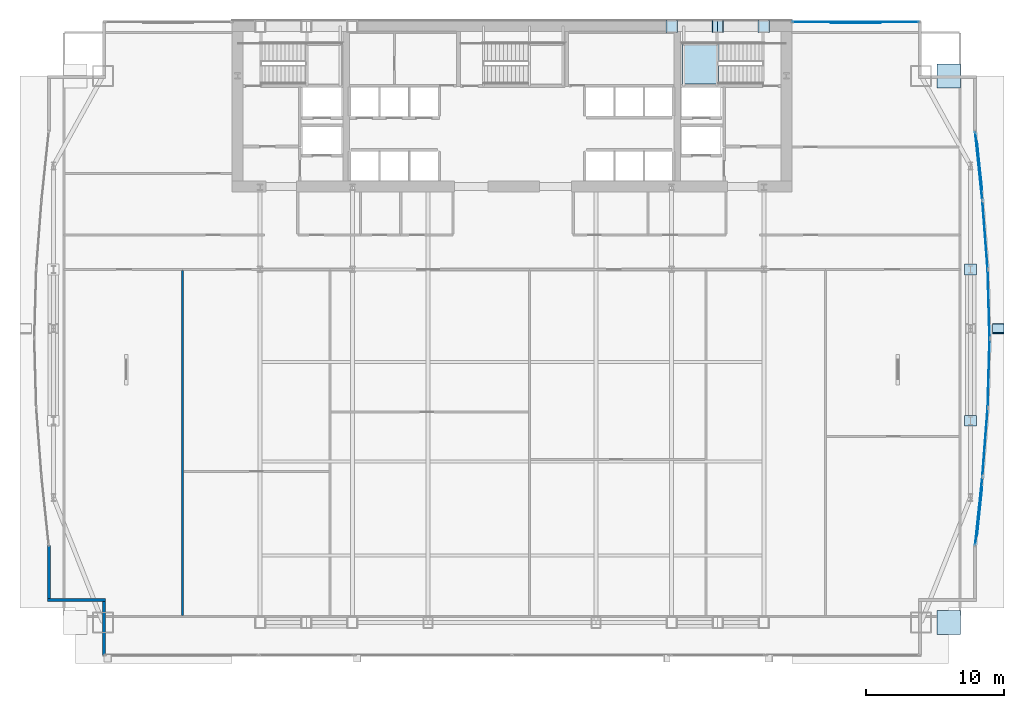
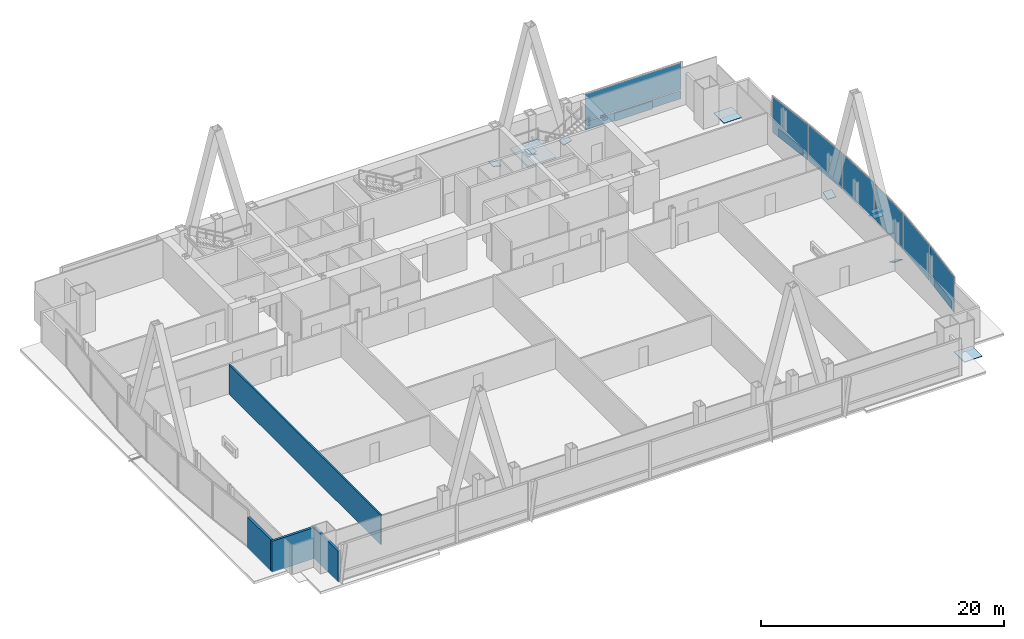
# One storey, part 26 of 32: 21 plates, 4 walls, 1 slab, 8 elements without a shape of their own.
"""IFC4 building model written with IfcOpenShell, lengths in metres."""

from ifc_helpers import new_model, si_unit, direction, frame, frame_2d, origin, origin_2d, place, context, subcontext, project, spatial, polyline, rectangle, outline, extrude, material, layer, layer_set, type_object, element, aggregate, save


model = new_model("IFC4")

# Units and contexts
model_context = context("Model", 3, precision=1e-05, world=origin(), true_north=direction((0.0, 1.0)))
body_context = subcontext(model_context, "Body", "Model", "MODEL_VIEW")
ifc_project = project(units=[si_unit("LENGTHUNIT", "METRE"), si_unit("AREAUNIT", "SQUARE_METRE"), si_unit("VOLUMEUNIT", "CUBIC_METRE"), si_unit("PLANEANGLEUNIT", "RADIAN"), si_unit("MASSUNIT", "GRAM", prefix="KILO")], contexts=[model_context])

# Site, building, storey
site_placement = place(None, origin())
site = spatial("IfcSite", under=ifc_project, at=site_placement, CompositionType="ELEMENT")
building_placement = place(site_placement, origin())
building = spatial("IfcBuilding", under=site, at=building_placement, Name="Khoronbel Lancet Exchange", CompositionType="ELEMENT")
storey_placement = place(building_placement, frame((0.0, 0.0, 81.800048828125)))
storey = spatial("IfcBuildingStorey", under=building, at=storey_placement, Name="L19", CompositionType="ELEMENT", Elevation=81.800048828125)

# Curtain wall, plate
ifc_material_1 = material(Name="Low-E Solar Control Insulating Glass", Category="glass")
curtain_wall_type_1 = type_object("IfcCurtainWallType", Name="CW-2", PredefinedType="NOTDEFINED", material=ifc_material_1)
curtain_wall_1_placement = place(storey_placement, origin())
curtain_wall_1 = element("IfcCurtainWall", 1, at=curtain_wall_1_placement, inside=storey, type_object=curtain_wall_type_1, Name="Unitised curtain wall CW-L19-NEFLK", PredefinedType="NOTDEFINED")
ifc_material_2 = material(Name="Bronze-Anodised Aluminium 6063-T6", Category="aluminium")
ifc_layer_1 = layer(ifc_material_2, 0.050048828125, Name="Bronze-Anodised Aluminium 6063-T6")
ifc_layer_set_1 = layer_set([ifc_layer_1], Name="Bronze-Anodised Aluminium 6063-T6")
plate_type_1 = type_object("IfcPlateType", Name="PLT-CSP1", PredefinedType="SHEET", material=ifc_layer_set_1)
plate_1_placement = place(storey_placement, frame((61.320068359375, 53.550048828125, 0.0498046875), z_axis=(0.0, 0.0, 1.0), x_axis=(-1.0, 0.0, 0.0)))
plate_1 = element("IfcPlate", 2, at=plate_1_placement, type_object=plate_type_1, Name="Insulated bronze spandrel cassette CW-L19-NEFLK", PredefinedType="SHEET", context=body_context, shape_type="SweptSolid", body=[
    extrude(rectangle(XDim=3.60009765625, YDim=0.050048828125, at=origin_2d()), origin(), (0.0, 0.0, 1.0), 0.800048828125),
])

curtain_wall_type_2 = type_object("IfcCurtainWallType", Name="CW-4", PredefinedType="NOTDEFINED", material=ifc_material_1)
curtain_wall_2_placement = place(storey_placement, origin())
curtain_wall_2 = element("IfcCurtainWall", 3, at=curtain_wall_2_placement, inside=storey, type_object=curtain_wall_type_2, Name="Unitised curtain wall CW-L19-E17", PredefinedType="NOTDEFINED")
plate_2_placement = place(storey_placement, frame((70.282470703125, 43.199951171875, 0.0498046875), z_axis=(0.0, 0.0, 1.0), x_axis=(0.104434383958, -0.994531779003, 0.0)))
plate_2 = element("IfcPlate", 4, at=plate_2_placement, type_object=plate_type_1, Name="Insulated bronze spandrel cassette CW-L19-E17", PredefinedType="SHEET", context=body_context, shape_type="SweptSolid", body=[
    extrude(rectangle(XDim=3.521484375, YDim=0.050048828125, at=origin_2d()), origin(), (0.0, 0.0, 1.0), 0.800048828125),
])

curtain_wall_3_placement = place(storey_placement, origin())
curtain_wall_3 = element("IfcCurtainWall", 5, at=curtain_wall_3_placement, inside=storey, type_object=curtain_wall_type_2, Name="Unitised curtain wall CW-L19-E18", PredefinedType="NOTDEFINED")
plate_3_placement = place(storey_placement, frame((70.677490234375, 38.193603515625, 0.0849609375), z_axis=(0.0, 0.0, 1.0), x_axis=(0.076626304874, -0.997059882555, 0.0)))
plate_3 = element("IfcPlate", 6, at=plate_3_placement, type_object=plate_type_1, Name="CW4 panel 1.1", PredefinedType="CURTAIN_PANEL", context=body_context, shape_type="SweptSolid", body=[
    extrude(rectangle(XDim=4.861328125, YDim=0.0380859375, at=origin_2d()), origin(), (0.0, 0.0, 1.0), 3.610107421875),
])
aggregate(curtain_wall_3, [plate_3])

curtain_wall_4_placement = place(storey_placement, origin())
curtain_wall_4 = element("IfcCurtainWall", 7, at=curtain_wall_4_placement, inside=storey, type_object=curtain_wall_type_2, Name="Unitised curtain wall CW-L19-E19", PredefinedType="NOTDEFINED")
plate_4_placement = place(storey_placement, frame((70.939697265625, 33.19775390625, 0.0849609375), z_axis=(0.0, 0.0, 1.0), x_axis=(0.028135315146, -0.999604123662, 0.0)))
plate_4 = element("IfcPlate", 8, at=plate_4_placement, type_object=plate_type_1, Name="CW4 panel 1.1", PredefinedType="CURTAIN_PANEL", context=body_context, shape_type="SweptSolid", body=[
    extrude(rectangle(XDim=4.84716796875, YDim=0.0380859375, at=origin_2d()), origin(), (0.0, 0.0, 1.0), 3.610107421875),
])
aggregate(curtain_wall_4, [plate_4])

curtain_wall_5_placement = place(storey_placement, origin())
curtain_wall_5 = element("IfcCurtainWall", 9, at=curtain_wall_5_placement, inside=storey, type_object=curtain_wall_type_2, Name="Unitised curtain wall CW-L19-E20", PredefinedType="NOTDEFINED")
plate_5_placement = place(storey_placement, frame((70.939697265625, 28.202392578125, 0.0849609375), z_axis=(0.0, 0.0, 1.0), x_axis=(-0.028135315146, -0.999604123662, 0.0)))
plate_5 = element("IfcPlate", 10, at=plate_5_placement, type_object=plate_type_1, Name="CW4 panel 1.1", PredefinedType="CURTAIN_PANEL", context=body_context, shape_type="SweptSolid", body=[
    extrude(rectangle(XDim=4.84716796875, YDim=0.0380859375, at=origin_2d()), origin(), (0.0, 0.0, 1.0), 3.610107421875),
])
aggregate(curtain_wall_5, [plate_5])

curtain_wall_6_placement = place(storey_placement, origin())
curtain_wall_6 = element("IfcCurtainWall", 11, at=curtain_wall_6_placement, inside=storey, type_object=curtain_wall_type_2, Name="Unitised curtain wall CW-L19-E21", PredefinedType="NOTDEFINED")
plate_6_placement = place(storey_placement, frame((70.677490234375, 23.206298828125, 0.0849609375), z_axis=(0.0, 0.0, 1.0), x_axis=(-0.076626304874, -0.997059882555, 0.0)))
plate_6 = element("IfcPlate", 12, at=plate_6_placement, type_object=plate_type_1, Name="CW4 panel 1.1", PredefinedType="CURTAIN_PANEL", context=body_context, shape_type="SweptSolid", body=[
    extrude(rectangle(XDim=4.861328125, YDim=0.0380859375, at=origin_2d()), origin(), (0.0, 0.0, 1.0), 3.610107421875),
])
aggregate(curtain_wall_6, [plate_6])

curtain_wall_7_placement = place(storey_placement, origin())
curtain_wall_7 = element("IfcCurtainWall", 13, at=curtain_wall_7_placement, inside=storey, type_object=curtain_wall_type_2, Name="Unitised curtain wall CW-L19-E22", PredefinedType="NOTDEFINED")
plate_7_placement = place(storey_placement, frame((70.282470703125, 18.2001953125, 0.0498046875), z_axis=(0.0, 0.0, 1.0), x_axis=(-0.104434383958, -0.994531779003, 0.0)))
plate_7 = element("IfcPlate", 14, at=plate_7_placement, type_object=plate_type_1, Name="Insulated bronze spandrel cassette CW-L19-E22", PredefinedType="SHEET", context=body_context, shape_type="SweptSolid", body=[
    extrude(rectangle(XDim=3.521484375, YDim=0.050048828125, at=origin_2d()), origin(), (0.0, 0.0, 1.0), 0.800048828125),
])

# Plate
ifc_layer_2 = layer(ifc_material_1, 0.035888671875, Name="Low-E Solar Control Insulating Glass")
ifc_layer_set_2 = layer_set([ifc_layer_2], Name="Low-E Solar Control Insulating Glass")
plate_type_2 = type_object("IfcPlateType", Name="PLT-CWP1", PredefinedType="CURTAIN_PANEL", material=ifc_layer_set_2)
plate_8_placement = place(storey_placement, frame((61.320068359375, 53.610107421875, 0.0849609375), z_axis=(0.0, 0.0, 1.0), x_axis=(-1.0, 0.0, 0.0)))
plate_8 = element("IfcPlate", 15, at=plate_8_placement, type_object=plate_type_2, Name="CW2 panel 1.1", PredefinedType="CURTAIN_PANEL", context=body_context, shape_type="SweptSolid", body=[
    extrude(rectangle(XDim=9.110107421875, YDim=0.0380859375, at=origin_2d()), origin(), (0.0, 0.0, 1.0), 0.822509765625),
])

plate_9_placement = place(storey_placement, frame((61.320068359375, 53.610107421875, 0.99267578125), z_axis=(0.0, 0.0, 1.0), x_axis=(-1.0, 0.0, 0.0)))
plate_9 = element("IfcPlate", 16, at=plate_9_placement, type_object=plate_type_2, Name="CW2 panel 1.2", PredefinedType="CURTAIN_PANEL", context=body_context, shape_type="SweptSolid", body=[
    extrude(rectangle(XDim=9.110107421875, YDim=0.0380859375, at=origin_2d()), origin(), (0.0, 0.0, 1.0), 2.702392578125),
])

aggregate(curtain_wall_1, [plate_8, plate_9, plate_1])

ifc_material_3 = material(Name="Ceramic-Fritted Laminated Insulating Glass", Category="glass")
ifc_layer_3 = layer(ifc_material_3, 0.0419921875, Name="Ceramic-Fritted Laminated Insulating Glass")
ifc_layer_set_3 = layer_set([ifc_layer_3], Name="Ceramic-Fritted Laminated Insulating Glass")
plate_type_3 = type_object("IfcPlateType", Name="PLT-CWP2", PredefinedType="CURTAIN_PANEL", material=ifc_layer_set_3)
plate_10_placement = place(storey_placement, frame((70.22265625, 43.193603515625, 0.0849609375), z_axis=(0.0, 0.0, 1.0), x_axis=(0.104434383958, -0.994531779003, 0.0)))
plate_10 = element("IfcPlate", 17, at=plate_10_placement, type_object=plate_type_3, Name="CW4 panel 1.1", PredefinedType="CURTAIN_PANEL", context=body_context, shape_type="SweptSolid", body=[
    extrude(rectangle(XDim=4.880859375, YDim=0.0380859375, at=origin_2d()), origin(), (0.0, 0.0, 1.0), 3.610107421875),
])

aggregate(curtain_wall_2, [plate_10, plate_2])

plate_11_placement = place(storey_placement, frame((70.22265625, 18.206298828125, 0.0849609375), z_axis=(0.0, 0.0, 1.0), x_axis=(-0.104434383958, -0.994531779003, 0.0)))
plate_11 = element("IfcPlate", 18, at=plate_11_placement, type_object=plate_type_3, Name="CW4 panel 1.1", PredefinedType="CURTAIN_PANEL", context=body_context, shape_type="SweptSolid", body=[
    extrude(rectangle(XDim=4.880859375, YDim=0.0380859375, at=origin_2d()), origin(), (0.0, 0.0, 1.0), 3.610107421875),
])

aggregate(curtain_wall_7, [plate_11, plate_7])

# Plates
ifc_material_4 = material(Name="Steel S460", Category="steel")
ifc_layer_4 = layer(ifc_material_4, 0.044921875, Name="Steel S460")
ifc_layer_set_4 = layer_set([ifc_layer_4], Name="Steel S460")
plate_type_4 = type_object("IfcPlateType", Name="PLT-ECP1", PredefinedType="USERDEFINED", material=ifc_layer_set_4)
plate_12_placement = place(storey_placement, frame((0.0, 0.0, -0.011962890625)))
element("IfcPlate", 19, at=plate_12_placement, inside=storey, type_object=plate_type_4, Name="Hollow end cap plate PLT-CAP-COL-L18-MC-SE-TOP", ObjectType="STIFFENER_PLATE", PredefinedType="USERDEFINED", context=body_context, shape_type="SweptSolid", body=[
    extrude(outline(polyline([(67.195068359375, 9.294921875), (68.905029296875, 9.294921875), (68.905029296875, 11.0048828125), (67.195068359375, 11.0048828125), (67.195068359375, 9.294921875)])), origin(), (0.0, 0.0, 1.0), 0.044921875),
])
plate_13_placement = place(storey_placement, frame((0.0, 0.0, -0.011962890625)))
element("IfcPlate", 20, at=plate_13_placement, inside=storey, type_object=plate_type_4, Name="Hollow end cap plate PLT-CAP-COL-L18-MC-NE-TOP", ObjectType="STIFFENER_PLATE", PredefinedType="USERDEFINED", context=body_context, shape_type="SweptSolid", body=[
    extrude(outline(polyline([(67.195068359375, 48.844970703125), (68.905029296875, 48.844970703125), (68.905029296875, 50.554931640625), (67.195068359375, 50.554931640625), (67.195068359375, 48.844970703125)])), origin(), (0.0, 0.0, 1.0), 0.044921875),
])
for number, where, z_axis, x_axis, name in (
    (21, (51.73779296875, 52.860107421875, -0.13134765625), (0.385131298134, 0.0, 0.922861789868), (0.0, 1.0, 0.0), "Hollow end cap plate PLT-CAP-MEM-MB-T05-N-E-L-1"),
    (22, (50.937255859375, 53.699951171875, -0.13134765625), (-0.385131298134, 0.0, 0.922861789868), (0.0, -1.0, 0.0), "Hollow end cap plate PLT-CAP-MEM-MB-T05-N-E-R-1"),
):
    element("IfcPlate", number, at=place(storey_placement, frame(where, z_axis=z_axis, x_axis=x_axis)), inside=storey, type_object=plate_type_4, Name=name, ObjectType="STIFFENER_PLATE", PredefinedType="USERDEFINED", context=body_context, shape_type="SweptSolid", body=[
        extrude(outline(polyline([(0.0, 0.0), (0.83984375, 0.0), (0.83984375, 0.83984375), (0.0, 0.83984375), (0.0, 0.0)])), origin(), (0.0, 0.0, -1.0), 0.044921875),
    ])
plate_14_placement = place(storey_placement, frame((72.050048828125, 31.7685546875, -0.243896484375), z_axis=(0.0, 0.640755879276, 0.76774468619), x_axis=(-1.0, 0.0, 0.0)))
element("IfcPlate", 23, at=plate_14_placement, inside=storey, type_object=plate_type_4, Name="Hollow end cap plate PLT-CAP-MEM-MB-T05-E-P-L-1", ObjectType="STIFFENER_PLATE", PredefinedType="USERDEFINED", context=body_context, shape_type="SweptSolid", body=[
    extrude(outline(polyline([(0.0, 0.0), (0.840087890625, 0.0), (0.840087890625, 0.840087890625), (0.0, 0.840087890625), (0.0, 0.0)])), origin(), (0.0, 0.0, -1.0), 0.044921875),
])
plate_15_placement = place(storey_placement, frame((71.2099609375, 31.0390625, -0.1689453125), z_axis=(0.0, -0.471463024334, 0.881885829734), x_axis=(1.0, 0.0, 0.0)))
element("IfcPlate", 24, at=plate_15_placement, inside=storey, type_object=plate_type_4, Name="Hollow end cap plate PLT-CAP-MEM-MB-T05-E-P-R-1", ObjectType="STIFFENER_PLATE", PredefinedType="USERDEFINED", context=body_context, shape_type="SweptSolid", body=[
    extrude(outline(polyline([(0.0, 0.0), (0.840087890625, 0.0), (0.840087890625, 0.83984375), (0.0, 0.83984375), (0.0, 0.0)])), origin(), (0.0, 0.0, -1.0), 0.044921875),
])
for number, where, z_axis, x_axis, name in (
    (25, (48.409423828125, 52.860107421875, -0.094482421875), (0.252303568477, 0.0, 0.967648133018), (0.0, 1.0, 0.0), "Hollow end cap plate PLT-CAP-MEM-MB-T06-N-E-L-0"),
    (26, (54.265625, 53.699951171875, -0.094482421875), (-0.252303568477, 0.0, 0.967648133018), (0.0, -1.0, 0.0), "Hollow end cap plate PLT-CAP-MEM-MB-T06-N-E-R-0"),
):
    element("IfcPlate", number, at=place(storey_placement, frame(where, z_axis=z_axis, x_axis=x_axis)), inside=storey, type_object=plate_type_4, Name=name, ObjectType="STIFFENER_PLATE", PredefinedType="USERDEFINED", context=body_context, shape_type="SweptSolid", body=[
        extrude(outline(polyline([(0.0, 0.0), (0.83984375, 0.0), (0.83984375, 0.83984375), (0.0, 0.83984375), (0.0, 0.0)])), origin(), (0.0, 0.0, -1.0), 0.044921875),
    ])
plate_16_placement = place(storey_placement, frame((70.050048828125, 25.1279296875, -0.18359375), z_axis=(0.0, 0.462377287185, 0.886683282968), x_axis=(-1.0, 0.0, 0.0)))
element("IfcPlate", 27, at=plate_16_placement, inside=storey, type_object=plate_type_4, Name="Hollow end cap plate PLT-CAP-MEM-MB-T06-E-P-L-0", ObjectType="STIFFENER_PLATE", PredefinedType="USERDEFINED", context=body_context, shape_type="SweptSolid", body=[
    extrude(outline(polyline([(0.0, 0.0), (0.840087890625, 0.0), (0.840087890625, 0.840087890625), (0.0, 0.840087890625), (0.0, 0.0)])), origin(), (0.0, 0.0, -1.0), 0.044921875),
])
plate_17_placement = place(storey_placement, frame((69.2099609375, 35.2978515625, -0.121826171875), z_axis=(0.0, -0.316838122626, 0.948479627641), x_axis=(1.0, 0.0, 0.0)))
element("IfcPlate", 28, at=plate_17_placement, inside=storey, type_object=plate_type_4, Name="Hollow end cap plate PLT-CAP-MEM-MB-T06-E-P-R-0", ObjectType="STIFFENER_PLATE", PredefinedType="USERDEFINED", context=body_context, shape_type="SweptSolid", body=[
    extrude(outline(polyline([(0.0, 0.0), (0.840087890625, 0.0), (0.840087890625, 0.83984375), (0.0, 0.83984375), (0.0, 0.0)])), origin(), (0.0, 0.0, -1.0), 0.044921875),
])

# Stair, slab
ifc_material_5 = material(Name="Concrete C40/50", Category="concrete")
stair_type = type_object("IfcStairType", Name="STR-CORE150", PredefinedType="HALF_TURN_STAIR", material=ifc_material_5)
stair_placement = place(storey_placement, origin())
stair = element("IfcStair", 29, at=stair_placement, inside=storey, type_object=stair_type, Name="L19 Protected Exit Stair ST2", PredefinedType="HALF_TURN_STAIR")
ifc_layer_5 = layer(ifc_material_5, 0.199951171875, Name="Concrete C40/50")
ifc_layer_set_5 = layer_set([ifc_layer_5], Name="Concrete C40/50")
slab_type = type_object("IfcSlabType", Name="SL-LND180", PredefinedType="LANDING", material=ifc_layer_set_5)
slab_placement = place(storey_placement, frame((0.0, 0.0, 1.800048828125)))
slab = element("IfcSlab", 30, at=slab_placement, type_object=slab_type, Name="ST2 landing 1", PredefinedType="LANDING", context=body_context, shape_type="SweptSolid", body=[
    extrude(outline(polyline([(51.409912109375, 52.10009765625), (48.75, 52.10009765625), (48.75, 49.1201171875), (51.409912109375, 49.1201171875), (51.409912109375, 52.10009765625)])), origin(), (0.0, 0.0, 1.0), 0.199951171875),
])
aggregate(stair, [slab])

# Walls
ifc_material_6 = material(Name="Precast concrete C40/50", Category="concrete")
ifc_layer_6 = layer(ifc_material_6, 0.25, Name="Precast concrete C40/50")
ifc_layer_set_6 = layer_set([ifc_layer_6], Name="Precast concrete C40/50")
wall_type_1 = type_object("IfcWallType", Name="WL-EXT250", PredefinedType="SOLIDWALL", material=ifc_layer_set_6)
wall_1_placement = place(storey_placement, frame((6.93994140625, 7.77001953125, 0.0), z_axis=(0.0, 0.0, 1.0), x_axis=(0.0, 1.0, 0.0)))
element("IfcWall", 31, at=wall_1_placement, inside=storey, type_object=wall_type_1, Name="Level L19 notched-corner limestone pier 01", PredefinedType="SOLIDWALL", context=body_context, shape_type="SweptSolid", body=[
    extrude(rectangle(XDim=3.909912109375, YDim=0.219970703125, at=frame_2d((1.955078125, 0.0))), origin(), (0.0, 0.0, 1.0), 3.119873046875),
])
wall_2_placement = place(storey_placement, frame((7.050048828125, 11.7900390625, 0.0), z_axis=(0.0, 0.0, 1.0), x_axis=(-1.0, 0.0, 0.0)))
element("IfcWall", 32, at=wall_2_placement, inside=storey, type_object=wall_type_1, Name="Level L19 notched-corner limestone pier 02", PredefinedType="SOLIDWALL", context=body_context, shape_type="SweptSolid", body=[
    extrude(rectangle(XDim=4.219970703125, YDim=0.219970703125, at=frame_2d((2.10986328125, 0.0))), origin(), (0.0, 0.0, 1.0), 3.119873046875),
])
wall_3_placement = place(storey_placement, frame((2.93994140625, 11.89990234375, 0.0), z_axis=(0.0, 0.0, 1.0), x_axis=(0.0, 1.0, 0.0)))
element("IfcWall", 33, at=wall_3_placement, inside=storey, type_object=wall_type_1, Name="Level L19 notched-corner limestone pier 03", PredefinedType="SOLIDWALL", context=body_context, shape_type="SweptSolid", body=[
    extrude(rectangle(XDim=3.82470703125, YDim=0.219970703125, at=frame_2d((1.912353515625, 0.0))), origin(), (0.0, 0.0, 1.0), 3.119873046875),
])
ifc_material_7 = material(Name="Fire-Rated Twin-Stud Acoustic Gypsum Partition 150 mm", Category="gypsum")
ifc_layer_7 = layer(ifc_material_7, 0.14990234375, Name="Fire-Rated Twin-Stud Acoustic Gypsum Partition 150 mm")
ifc_layer_set_7 = layer_set([ifc_layer_7], Name="Fire-Rated Twin-Stud Acoustic Gypsum Partition 150 mm")
wall_type_2 = type_object("IfcWallType", Name="WL-PRT150C", PredefinedType="PARTITIONING", material=ifc_layer_set_7)
wall_4_placement = place(storey_placement, frame((12.622802734375, 10.6650390625, 0.0), z_axis=(0.0, 0.0, 1.0), x_axis=(0.0, 1.0, 0.0)))
element("IfcWall", 34, at=wall_4_placement, inside=storey, type_object=wall_type_2, Name="Level L19 interior partition PW-Z1S-V1", PredefinedType="PARTITIONING", context=body_context, shape_type="SweptSolid", body=[
    extrude(rectangle(XDim=24.949951171875, YDim=0.14990234375, at=frame_2d((12.47509765625, 0.0))), origin(), (0.0, 0.0, 1.0), 2.969970703125),
])

save(model, "model.ifc")
